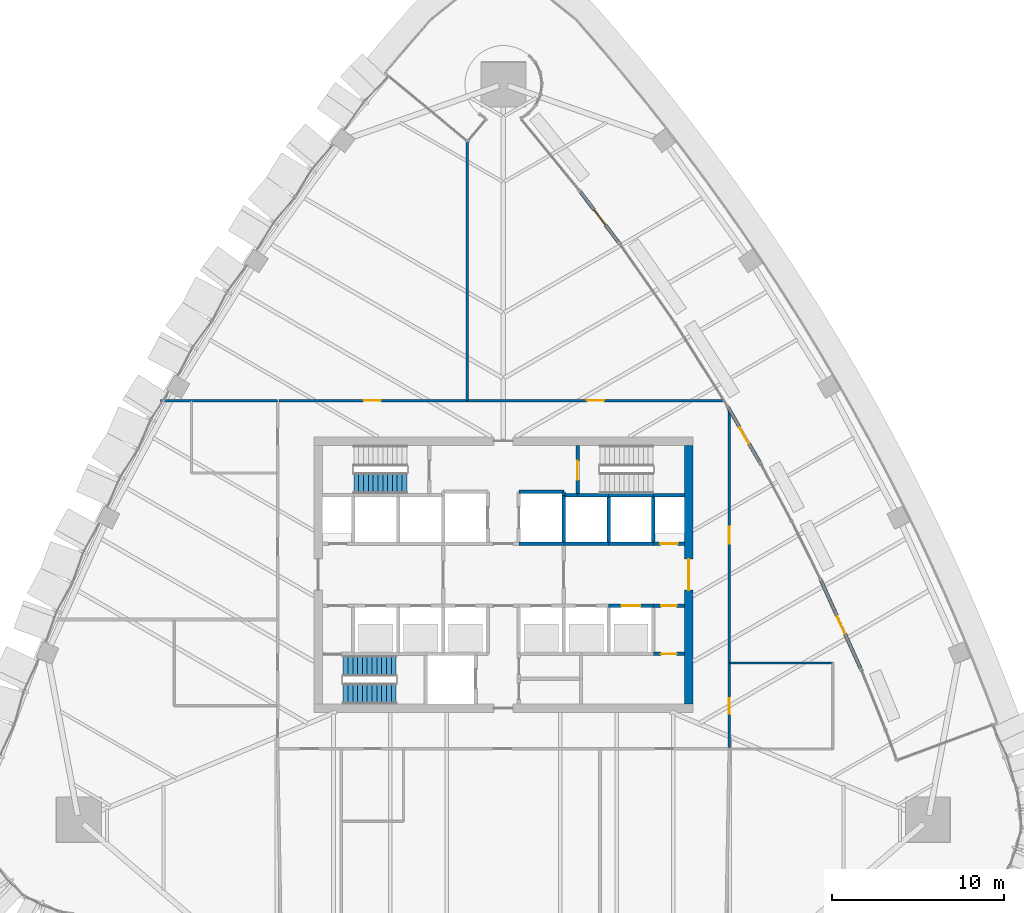
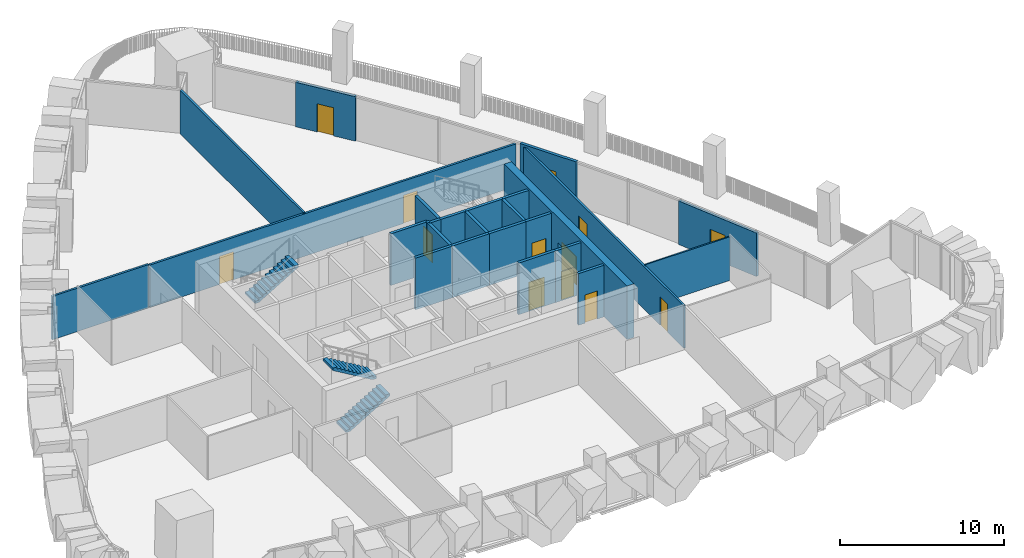
# One storey, part 16 of 22: 26 walls, 13 doors, 3 stair flights, 13 openings, 2 elements without a shape of their own.
"""IFC4 building model written with IfcOpenShell, lengths in metres."""

from ifc_helpers import new_model, si_unit, direction, frame, frame_2d, origin, place, context, subcontext, project, spatial, polyline, rectangle, outline, extrude, material, layer, layer_set, type_object, element, fill, aggregate, save


model = new_model("IFC4")

# Units and contexts
model_context = context("Model", 3, precision=1e-05, world=origin(), true_north=direction((0.0, 1.0)))
body_context = subcontext(model_context, "Body", "Model", "MODEL_VIEW")
ifc_project = project(units=[si_unit("LENGTHUNIT", "METRE"), si_unit("AREAUNIT", "SQUARE_METRE"), si_unit("VOLUMEUNIT", "CUBIC_METRE"), si_unit("PLANEANGLEUNIT", "RADIAN"), si_unit("MASSUNIT", "GRAM", prefix="KILO")], contexts=[model_context])

# Site, building, storey
site_placement = place(None, origin())
site = spatial("IfcSite", under=ifc_project, at=site_placement, CompositionType="ELEMENT")
building_placement = place(site_placement, origin())
building = spatial("IfcBuilding", under=site, at=building_placement, Name="Sierra Prisma Convention Tower", CompositionType="ELEMENT")
storey_placement = place(building_placement, frame((0.0, 0.0, 141.800048828125)))
storey = spatial("IfcBuildingStorey", under=building, at=storey_placement, Name="L30", CompositionType="ELEMENT", Elevation=141.800048828125)

# Walls
ifc_material_1 = material(Name="Gypsum board partition", Category="gypsum")
ifc_layer_1 = layer(ifc_material_1, 0.10009765625)
ifc_layer_set_1 = layer_set([ifc_layer_1], Name="Bathroom partition 100")
wall_type_1 = type_object("IfcWallType", Name="Bathroom partition 100", PredefinedType="PARTITIONING", material=ifc_layer_set_1)
wall_1_placement = place(storey_placement, frame((13.1298828125, -5.1201171875, 0.0), z_axis=(0.0, 0.0, 1.0), x_axis=(1.0, 0.0, 0.0)))
element("IfcWall", 1, at=wall_1_placement, inside=storey, type_object=wall_type_1, Name="Partition L30 bath 7", PredefinedType="PARTITIONING", context=body_context, shape_type="SweptSolid", body=[
    extrude(rectangle(XDim=5.97021484375, YDim=0.10009765625, at=frame_2d((2.985107421875, 0.0))), origin(), (0.0, 0.0, 1.0), 3.2470703125),
])
ifc_material_2 = material(Name="Concrete C30/37", Category="concrete")
ifc_layer_2 = layer(ifc_material_2, 0.199951171875)
ifc_layer_set_2 = layer_set([ifc_layer_2], Name="Core wall RC 200 C30/37")
wall_type_2 = type_object("IfcWallType", Name="Core wall RC 200 C30/37", PredefinedType="SOLIDWALL", material=ifc_layer_set_2)
wall_2_placement = place(storey_placement, frame((3.5, 1.800048828125, 0.0), z_axis=(0.0, 0.0, 1.0), x_axis=(-1.0, 0.0, 0.0)))
element("IfcWall", 2, at=wall_2_placement, inside=storey, type_object=wall_type_2, Name="Core wall L30 41", PredefinedType="SOLIDWALL", context=body_context, shape_type="SweptSolid", body=[
    extrude(rectangle(XDim=2.60009765625, YDim=0.199951171875, at=frame_2d((1.300048828125, 0.0))), origin(), (0.0, 0.0, 1.0), 3.849853515625),
])
wall_3_placement = place(storey_placement, frame((3.5, 4.60009765625, 0.0), z_axis=(0.0, 0.0, 1.0), x_axis=(0.0, 1.0, 0.0)))
element("IfcWall", 3, at=wall_3_placement, inside=storey, type_object=wall_type_2, Name="Core wall L30 42", PredefinedType="SOLIDWALL", context=body_context, shape_type="SweptSolid", body=[
    extrude(rectangle(XDim=0.199951171875, YDim=0.199951171875, at=frame_2d((0.10009765625, 0.0))), origin(), (0.0, 0.0, 1.0), 3.849853515625),
])
for number, where, z_axis, x_axis, name in (
    (4, (3.5, 4.800048828125, 0.0), (0.0, 0.0, 1.0), (-1.0, 0.0, 0.0), "Core wall L30 43"),
    (5, (6.10009765625, 1.800048828125, 0.0), (0.0, 0.0, 1.0), (-1.0, 0.0, 0.0), "Core wall L30 49"),
):
    element("IfcWall", number, at=place(storey_placement, frame(where, z_axis=z_axis, x_axis=x_axis)), inside=storey, type_object=wall_type_2, Name=name, PredefinedType="SOLIDWALL", context=body_context, shape_type="SweptSolid", body=[
        extrude(rectangle(XDim=2.60009765625, YDim=0.199951171875, at=frame_2d((1.300048828125, 0.0))), origin(), (0.0, 0.0, 1.0), 3.849853515625),
    ])
wall_4_placement = place(storey_placement, frame((3.5, 1.800048828125, 0.0), z_axis=(0.0, 0.0, 1.0), x_axis=(0.0, 1.0, 0.0)))
element("IfcWall", 6, at=wall_4_placement, inside=storey, type_object=wall_type_2, Name="Core wall L30 50", PredefinedType="SOLIDWALL", context=body_context, shape_type="SweptSolid", body=[
    extrude(rectangle(XDim=2.800048828125, YDim=0.199951171875, at=frame_2d((1.39990234375, 0.0))), origin(), (0.0, 0.0, 1.0), 3.849853515625),
])
wall_5_placement = place(storey_placement, frame((4.300048828125, 4.60009765625, 0.0), z_axis=(0.0, 0.0, 1.0), x_axis=(-1.0, 0.0, 0.0)))
element("IfcWall", 7, at=wall_5_placement, inside=storey, type_object=wall_type_2, Name="Core wall L30 51", PredefinedType="SOLIDWALL", context=body_context, shape_type="SweptSolid", body=[
    extrude(rectangle(XDim=0.800048828125, YDim=0.199951171875, at=frame_2d((0.39990234375, 0.0))), origin(), (0.0, 0.0, 1.0), 3.849853515625),
])
wall_6_placement = place(storey_placement, frame((6.10009765625, 4.60009765625, 0.0), z_axis=(0.0, 0.0, 1.0), x_axis=(-1.0, 0.0, 0.0)))
element("IfcWall", 8, at=wall_6_placement, inside=storey, type_object=wall_type_2, Name="Core wall L30 52", PredefinedType="SOLIDWALL", context=body_context, shape_type="SweptSolid", body=[
    extrude(rectangle(XDim=1.800048828125, YDim=0.199951171875, at=frame_2d((0.89990234375, 0.0))), origin(), (0.0, 0.0, 1.0), 3.849853515625),
])

# Wall, opening, door
wall_7_placement = place(storey_placement, frame((4.300048828125, 7.5, 0.0), z_axis=(0.0, 0.0, 1.0), x_axis=(0.0, -1.0, 0.0)))
wall_7 = element("IfcWall", 9, at=wall_7_placement, inside=storey, type_object=wall_type_2, Name="Core wall L30 53", PredefinedType="SOLIDWALL", context=body_context, shape_type="SweptSolid", body=[
    extrude(rectangle(XDim=2.89990234375, YDim=0.199951171875, at=frame_2d((1.449951171875, 0.0))), origin(), (0.0, 0.0, 1.0), 3.849853515625),
])
opening_1_placement = place(wall_7_placement, frame((0.89990234375, 0.0, 0.0)))
opening_1 = element("IfcOpeningElement", 10, at=opening_1_placement, cuts=wall_7, Name="Opening L30-D022", PredefinedType="OPENING", context=body_context, shape_type="SweptSolid", body=[
    extrude(rectangle(XDim=1.10009765625, YDim=2.10009765625, at=frame_2d((0.550048828125, 1.050048828125))), frame((0.0, 0.10009765625, 0.0), z_axis=(0.0, -1.0, 0.0), x_axis=(1.0, 0.0, 0.0)), (0.0, 0.0, 1.0), 0.199951171875),
])
ifc_material_3 = material(Name="Steel fire door leaf", Category="steel")
door_type_1 = type_object("IfcDoorType", Name="Door 1100x2100 FD90S", OperationType="SINGLE_SWING_LEFT", PredefinedType="DOOR", material=ifc_material_3)
door_1_placement = place(opening_1_placement, origin())
door_1 = element("IfcDoor", 11, at=door_1_placement, inside=storey, type_object=door_type_1, Name="Door L30 31", OperationType="SINGLE_SWING_LEFT", OverallHeight=2.10009765625, OverallWidth=1.10009765625, PredefinedType="DOOR", context=body_context, shape_type="SweptSolid", body=[
    extrude(rectangle(XDim=1.10009765625, YDim=2.10009765625, at=frame_2d((0.550048828125, 1.050048828125))), frame((0.0, 0.02490234375, 0.0), z_axis=(0.0, -1.0, 0.0), x_axis=(1.0, 0.0, 0.0)), (0.0, 0.0, 1.0), 0.050048828125),
])
fill(opening_1, door_1)

wall_8_placement = place(storey_placement, frame((6.10009765625, -1.800048828125, 0.0), z_axis=(0.0, 0.0, 1.0), x_axis=(1.0, 0.0, 0.0)))
wall_8 = element("IfcWall", 12, at=wall_8_placement, inside=storey, type_object=wall_type_2, Name="Core wall L30 59", PredefinedType="SOLIDWALL", context=body_context, shape_type="SweptSolid", body=[
    extrude(rectangle(XDim=2.599853515625, YDim=0.199951171875, at=frame_2d((1.2998046875, 0.0))), origin(), (0.0, 0.0, 1.0), 3.849853515625),
])
opening_2_placement = place(wall_8_placement, frame((0.75, 0.0, 0.0)))
opening_2 = element("IfcOpeningElement", 13, at=opening_2_placement, cuts=wall_8, Name="Opening L30-D009", PredefinedType="OPENING", context=body_context, shape_type="SweptSolid", body=[
    extrude(rectangle(XDim=1.10009765625, YDim=2.10009765625, at=frame_2d((0.550048828125, 1.050048828125))), frame((0.0, 0.10009765625, 0.0), z_axis=(0.0, -1.0, 0.0), x_axis=(1.0, 0.0, 0.0)), (0.0, 0.0, 1.0), 0.199951171875),
])
ifc_material_4 = material(Name="Steel fire door leaf", Category="steel")
door_type_2 = type_object("IfcDoorType", Name="Door 1100x2100 EI 90 sliding lift landing", OperationType="SLIDING_TO_LEFT", PredefinedType="DOOR", material=ifc_material_4)
door_2_placement = place(opening_2_placement, origin())
door_2 = element("IfcDoor", 14, at=door_2_placement, inside=storey, type_object=door_type_2, Name="Door L30 18", OperationType="SLIDING_TO_RIGHT", OverallHeight=2.10009765625, OverallWidth=1.10009765625, PredefinedType="DOOR", context=body_context, shape_type="SweptSolid", body=[
    extrude(rectangle(XDim=1.10009765625, YDim=2.10009765625, at=frame_2d((0.550048828125, 1.050048828125))), frame((0.0, 0.02490234375, 0.0), z_axis=(0.0, -1.0, 0.0), x_axis=(1.0, 0.0, 0.0)), (0.0, 0.0, 1.0), 0.050048828125),
])
fill(opening_2, door_2)

# Walls
wall_9_placement = place(storey_placement, frame((8.699951171875, 1.800048828125, 0.0), z_axis=(0.0, 0.0, 1.0), x_axis=(-1.0, 0.0, 0.0)))
element("IfcWall", 15, at=wall_9_placement, inside=storey, type_object=wall_type_2, Name="Core wall L30 60", PredefinedType="SOLIDWALL", context=body_context, shape_type="SweptSolid", body=[
    extrude(rectangle(XDim=2.599853515625, YDim=0.199951171875, at=frame_2d((1.2998046875, 0.0))), origin(), (0.0, 0.0, 1.0), 3.849853515625),
])
wall_10_placement = place(storey_placement, frame((6.10009765625, 1.800048828125, 0.0), z_axis=(0.0, 0.0, 1.0), x_axis=(0.0, 1.0, 0.0)))
element("IfcWall", 16, at=wall_10_placement, inside=storey, type_object=wall_type_2, Name="Core wall L30 61", PredefinedType="SOLIDWALL", context=body_context, shape_type="SweptSolid", body=[
    extrude(rectangle(XDim=2.800048828125, YDim=0.199951171875, at=frame_2d((1.39990234375, 0.0))), origin(), (0.0, 0.0, 1.0), 3.849853515625),
])
wall_11_placement = place(storey_placement, frame((8.699951171875, 4.60009765625, 0.0), z_axis=(0.0, 0.0, 1.0), x_axis=(-1.0, 0.0, 0.0)))
element("IfcWall", 17, at=wall_11_placement, inside=storey, type_object=wall_type_2, Name="Core wall L30 62", PredefinedType="SOLIDWALL", context=body_context, shape_type="SweptSolid", body=[
    extrude(rectangle(XDim=2.599853515625, YDim=0.199951171875, at=frame_2d((1.2998046875, 0.0))), origin(), (0.0, 0.0, 1.0), 3.849853515625),
])

# Wall, opening, door
wall_12_placement = place(storey_placement, frame((10.5, -4.60009765625, 0.0), z_axis=(0.0, 0.0, 1.0), x_axis=(-1.0, 0.0, 0.0)))
wall_12 = element("IfcWall", 18, at=wall_12_placement, inside=storey, type_object=wall_type_2, Name="Core wall L30 63", PredefinedType="SOLIDWALL", context=body_context, shape_type="SweptSolid", body=[
    extrude(rectangle(XDim=1.800048828125, YDim=0.199951171875, at=frame_2d((0.89990234375, 0.0))), origin(), (0.0, 0.0, 1.0), 3.849853515625),
])
opening_3_placement = place(wall_12_placement, frame((0.4599609375, 0.0, 0.0)))
opening_3 = element("IfcOpeningElement", 19, at=opening_3_placement, cuts=wall_12, Name="Opening L30-D023", PredefinedType="OPENING", context=body_context, shape_type="SweptSolid", body=[
    extrude(rectangle(XDim=0.89990234375, YDim=2.10009765625, at=frame_2d((0.449951171875, 1.050048828125))), frame((0.0, 0.10009765625, 0.0), z_axis=(0.0, -1.0, 0.0), x_axis=(1.0, 0.0, 0.0)), (0.0, 0.0, 1.0), 0.199951171875),
])
ifc_material_5 = material(Name="Steel fire door leaf", Category="steel")
door_type_3 = type_object("IfcDoorType", Name="Door 900x2100 FD30S", OperationType="SINGLE_SWING_LEFT", PredefinedType="DOOR", material=ifc_material_5)
door_3_placement = place(opening_3_placement, origin())
door_3 = element("IfcDoor", 20, at=door_3_placement, inside=storey, type_object=door_type_3, Name="Door L30 32", OperationType="SINGLE_SWING_RIGHT", OverallHeight=2.10009765625, OverallWidth=0.89990234375, PredefinedType="DOOR", context=body_context, shape_type="SweptSolid", body=[
    extrude(rectangle(XDim=0.89990234375, YDim=2.10009765625, at=frame_2d((0.449951171875, 1.050048828125))), frame((0.0, 0.02490234375, 0.0), z_axis=(0.0, -1.0, 0.0), x_axis=(1.0, 0.0, 0.0)), (0.0, 0.0, 1.0), 0.050048828125),
])
fill(opening_3, door_3)

wall_13_placement = place(storey_placement, frame((8.699951171875, -1.800048828125, 0.0), z_axis=(0.0, 0.0, 1.0), x_axis=(1.0, 0.0, 0.0)))
wall_13 = element("IfcWall", 21, at=wall_13_placement, inside=storey, type_object=wall_type_2, Name="Core wall L30 65", PredefinedType="SOLIDWALL", context=body_context, shape_type="SweptSolid", body=[
    extrude(rectangle(XDim=1.800048828125, YDim=0.199951171875, at=frame_2d((0.89990234375, 0.0))), origin(), (0.0, 0.0, 1.0), 3.849853515625),
])
opening_4_placement = place(wall_13_placement, frame((0.449951171875, 0.0, 0.0)))
opening_4 = element("IfcOpeningElement", 22, at=opening_4_placement, cuts=wall_13, Name="Opening L30-D024", PredefinedType="OPENING", context=body_context, shape_type="SweptSolid", body=[
    extrude(rectangle(XDim=0.89990234375, YDim=2.10009765625, at=frame_2d((0.449951171875, 1.050048828125))), frame((0.0, 0.10009765625, 0.0), z_axis=(0.0, -1.0, 0.0), x_axis=(1.0, 0.0, 0.0)), (0.0, 0.0, 1.0), 0.199951171875),
])
door_4_placement = place(opening_4_placement, origin())
door_4 = element("IfcDoor", 23, at=door_4_placement, inside=storey, type_object=door_type_3, Name="Door L30 33", OperationType="SINGLE_SWING_RIGHT", OverallHeight=2.10009765625, OverallWidth=0.89990234375, PredefinedType="DOOR", context=body_context, shape_type="SweptSolid", body=[
    extrude(rectangle(XDim=0.89990234375, YDim=2.10009765625, at=frame_2d((0.449951171875, 1.050048828125))), frame((0.0, 0.02490234375, 0.0), z_axis=(0.0, -1.0, 0.0), x_axis=(1.0, 0.0, 0.0)), (0.0, 0.0, 1.0), 0.050048828125),
])
fill(opening_4, door_4)

wall_14_placement = place(storey_placement, frame((10.5, 1.800048828125, 0.0), z_axis=(0.0, 0.0, 1.0), x_axis=(-1.0, 0.0, 0.0)))
wall_14 = element("IfcWall", 24, at=wall_14_placement, inside=storey, type_object=wall_type_2, Name="Core wall L30 66", PredefinedType="SOLIDWALL", context=body_context, shape_type="SweptSolid", body=[
    extrude(rectangle(XDim=1.800048828125, YDim=0.199951171875, at=frame_2d((0.89990234375, 0.0))), origin(), (0.0, 0.0, 1.0), 3.849853515625),
])
opening_5_placement = place(wall_14_placement, frame((0.39990234375, 0.0, 0.0)))
opening_5 = element("IfcOpeningElement", 25, at=opening_5_placement, cuts=wall_14, Name="Opening L30-D019", PredefinedType="OPENING", context=body_context, shape_type="SweptSolid", body=[
    extrude(rectangle(XDim=1.0, YDim=2.10009765625, at=frame_2d((0.5, 1.050048828125))), frame((0.0, 0.10009765625, 0.0), z_axis=(0.0, -1.0, 0.0), x_axis=(1.0, 0.0, 0.0)), (0.0, 0.0, 1.0), 0.199951171875),
])
ifc_material_6 = material(Name="Steel fire door leaf", Category="steel")
door_type_4 = type_object("IfcDoorType", Name="Door 1000x2100 FD60S", OperationType="SINGLE_SWING_LEFT", PredefinedType="DOOR", material=ifc_material_6)
door_5_placement = place(opening_5_placement, origin())
door_5 = element("IfcDoor", 26, at=door_5_placement, inside=storey, type_object=door_type_4, Name="Door L30 28", OperationType="SINGLE_SWING_RIGHT", OverallHeight=2.10009765625, OverallWidth=1.0, PredefinedType="DOOR", context=body_context, shape_type="SweptSolid", body=[
    extrude(rectangle(XDim=1.0, YDim=2.10009765625, at=frame_2d((0.5, 1.050048828125))), frame((0.0, 0.02490234375, 0.0), z_axis=(0.0, -1.0, 0.0), x_axis=(1.0, 0.0, 0.0)), (0.0, 0.0, 1.0), 0.050048828125),
])
fill(opening_5, door_5)

# Walls
wall_15_placement = place(storey_placement, frame((8.699951171875, 4.60009765625, 0.0), z_axis=(0.0, 0.0, 1.0), x_axis=(0.0, -1.0, 0.0)))
element("IfcWall", 27, at=wall_15_placement, inside=storey, type_object=wall_type_2, Name="Core wall L30 67", PredefinedType="SOLIDWALL", context=body_context, shape_type="SweptSolid", body=[
    extrude(rectangle(XDim=2.800048828125, YDim=0.199951171875, at=frame_2d((1.39990234375, 0.0))), origin(), (0.0, 0.0, 1.0), 3.849853515625),
])
wall_16_placement = place(storey_placement, frame((10.5, 4.60009765625, 0.0), z_axis=(0.0, 0.0, 1.0), x_axis=(-1.0, 0.0, 0.0)))
element("IfcWall", 28, at=wall_16_placement, inside=storey, type_object=wall_type_2, Name="Core wall L30 68", PredefinedType="SOLIDWALL", context=body_context, shape_type="SweptSolid", body=[
    extrude(rectangle(XDim=1.800048828125, YDim=0.199951171875, at=frame_2d((0.89990234375, 0.0))), origin(), (0.0, 0.0, 1.0), 3.849853515625),
])

# Wall, opening, door
ifc_material_7 = material(Name="Concrete C60/75", Category="concrete")
ifc_layer_3 = layer(ifc_material_7, 0.5)
ifc_layer_set_3 = layer_set([ifc_layer_3], Name="Core wall RC 500 C60/75")
wall_type_3 = type_object("IfcWallType", Name="Core wall RC 500 C60/75", PredefinedType="SHEAR", material=ifc_layer_set_3)
wall_17_placement = place(storey_placement, frame((10.75, -7.5, 0.0), z_axis=(0.0, 0.0, 1.0), x_axis=(0.0, 1.0, 0.0)))
wall_17 = element("IfcWall", 29, at=wall_17_placement, inside=storey, type_object=wall_type_3, Name="Core wall E L30", PredefinedType="SHEAR", context=body_context, shape_type="SweptSolid", body=[
    extrude(rectangle(XDim=15.0, YDim=0.5, at=frame_2d((7.5, 0.0))), origin(), (0.0, 0.0, 1.0), 4.0),
])
opening_6_placement = place(wall_17_placement, frame((6.60009765625, 0.0, 0.0)))
opening_6 = element("IfcOpeningElement", 30, at=opening_6_placement, cuts=wall_17, Name="Opening L30-D039", PredefinedType="OPENING", context=body_context, shape_type="SweptSolid", body=[
    extrude(rectangle(XDim=1.800048828125, YDim=2.10009765625, at=frame_2d((0.89990234375, 1.050048828125))), frame((0.0, 0.25, 0.0), z_axis=(0.0, -1.0, 0.0), x_axis=(1.0, 0.0, 0.0)), (0.0, 0.0, 1.0), 0.5),
])
ifc_material_8 = material(Name="Steel fire door leaf", Category="steel")
door_type_5 = type_object("IfcDoorType", Name="Door 1800x2100 FD60S", OperationType="DOUBLE_DOOR_SINGLE_SWING", PredefinedType="DOOR", material=ifc_material_8)
door_6_placement = place(opening_6_placement, origin())
door_6 = element("IfcDoor", 31, at=door_6_placement, inside=storey, type_object=door_type_5, Name="Door L30 37", OperationType="DOUBLE_DOOR_SINGLE_SWING", OverallHeight=2.10009765625, OverallWidth=1.800048828125, PredefinedType="DOOR", context=body_context, shape_type="SweptSolid", body=[
    extrude(rectangle(XDim=1.800048828125, YDim=2.10009765625, at=frame_2d((0.89990234375, 1.050048828125))), frame((0.0, 0.02490234375, 0.0), z_axis=(0.0, -1.0, 0.0), x_axis=(1.0, 0.0, 0.0)), (0.0, 0.0, 1.0), 0.050048828125),
])
fill(opening_6, door_6)

# Wall, openings, doors
ifc_material_9 = material(Name="Gypsum board partition", Category="gypsum")
ifc_layer_4 = layer(ifc_material_9, 0.14990234375)
ifc_layer_set_4 = layer_set([ifc_layer_4], Name="Corridor wall 150 gypsum EI 60")
wall_type_4 = type_object("IfcWallType", Name="Corridor wall 150 gypsum EI 60", PredefinedType="PARTITIONING", material=ifc_layer_set_4)
wall_18_placement = place(storey_placement, frame((12.791259765625, 10.10009765625, 0.0), z_axis=(0.0, 0.0, 1.0), x_axis=(-1.0, 0.0, 0.0)))
wall_18 = element("IfcWall", 32, at=wall_18_placement, inside=storey, type_object=wall_type_4, Name="Partition L30 corr 3", PredefinedType="PARTITIONING", context=body_context, shape_type="SweptSolid", body=[
    extrude(rectangle(XDim=25.811279296875, YDim=0.14990234375, at=frame_2d((12.90576171875, 0.0))), origin(), (0.0, 0.0, 1.0), 3.166015625),
])
opening_7_placement = place(wall_18_placement, frame((6.945556640625, 0.0, 0.0)))
opening_7 = element("IfcOpeningElement", 33, at=opening_7_placement, cuts=wall_18, Name="Opening L30-D027", PredefinedType="OPENING", context=body_context, shape_type="SweptSolid", body=[
    extrude(rectangle(XDim=1.0, YDim=2.10009765625, at=frame_2d((0.5, 1.050048828125))), frame((0.0, 0.074951171875, 0.0), z_axis=(0.0, -1.0, 0.0), x_axis=(1.0, 0.0, 0.0)), (0.0, 0.0, 1.0), 0.14990234375),
])
opening_8_placement = place(wall_18_placement, frame((19.901123046875, 0.0, 0.0)))
opening_8 = element("IfcOpeningElement", 34, at=opening_8_placement, cuts=wall_18, Name="Opening L30-D028", PredefinedType="OPENING", context=body_context, shape_type="SweptSolid", body=[
    extrude(rectangle(XDim=1.0, YDim=2.10009765625, at=frame_2d((0.5, 1.050048828125))), frame((0.0, 0.074951171875, 0.0), z_axis=(0.0, -1.0, 0.0), x_axis=(1.0, 0.0, 0.0)), (0.0, 0.0, 1.0), 0.14990234375),
])
ifc_material_10 = material(Name="Steel fire door leaf", Category="steel")
door_type_6 = type_object("IfcDoorType", Name="Door 1000x2100 FD30S", OperationType="SINGLE_SWING_LEFT", PredefinedType="DOOR", material=ifc_material_10)
door_7_placement = place(opening_7_placement, origin())
door_7 = element("IfcDoor", 35, at=door_7_placement, inside=storey, type_object=door_type_6, Name="Door L30 1", OperationType="SINGLE_SWING_LEFT", OverallHeight=2.10009765625, OverallWidth=1.0, PredefinedType="DOOR", context=body_context, shape_type="SweptSolid", body=[
    extrude(rectangle(XDim=1.0, YDim=2.10009765625, at=frame_2d((0.5, 1.050048828125))), frame((0.0, 0.02490234375, 0.0), z_axis=(0.0, -1.0, 0.0), x_axis=(1.0, 0.0, 0.0)), (0.0, 0.0, 1.0), 0.050048828125),
])
fill(opening_7, door_7)
door_8_placement = place(opening_8_placement, origin())
door_8 = element("IfcDoor", 36, at=door_8_placement, inside=storey, type_object=door_type_6, Name="Door L30 2", OperationType="SINGLE_SWING_LEFT", OverallHeight=2.10009765625, OverallWidth=1.0, PredefinedType="DOOR", context=body_context, shape_type="SweptSolid", body=[
    extrude(rectangle(XDim=1.0, YDim=2.10009765625, at=frame_2d((0.5, 1.050048828125))), frame((0.0, 0.02490234375, 0.0), z_axis=(0.0, -1.0, 0.0), x_axis=(1.0, 0.0, 0.0)), (0.0, 0.0, 1.0), 0.050048828125),
])
fill(opening_8, door_8)

wall_19_placement = place(storey_placement, frame((13.10009765625, -10.02001953125, 0.0), z_axis=(0.0, 0.0, 1.0), x_axis=(0.0, 1.0, 0.0)))
wall_19 = element("IfcWall", 37, at=wall_19_placement, inside=storey, type_object=wall_type_4, Name="Partition L30 corr 4", PredefinedType="PARTITIONING", context=body_context, shape_type="SweptSolid", body=[
    extrude(rectangle(XDim=19.6083984375, YDim=0.14990234375, at=frame_2d((9.80419921875, 0.0))), origin(), (0.0, 0.0, 1.0), 3.166015625),
])
opening_9_placement = place(wall_19_placement, frame((1.949951171875, 0.0, 0.0)))
opening_9 = element("IfcOpeningElement", 38, at=opening_9_placement, cuts=wall_19, Name="Opening L30-D037", PredefinedType="OPENING", context=body_context, shape_type="SweptSolid", body=[
    extrude(rectangle(XDim=0.89990234375, YDim=2.10009765625, at=frame_2d((0.449951171875, 1.050048828125))), frame((0.0, 0.074951171875, 0.0), z_axis=(0.0, -1.0, 0.0), x_axis=(1.0, 0.0, 0.0)), (0.0, 0.0, 1.0), 0.14990234375),
])
opening_10_placement = place(wall_19_placement, frame((11.80419921875, 0.0, 0.0)))
opening_10 = element("IfcOpeningElement", 39, at=opening_10_placement, cuts=wall_19, Name="Opening L30-D038", PredefinedType="OPENING", context=body_context, shape_type="SweptSolid", body=[
    extrude(rectangle(XDim=1.0, YDim=2.10009765625, at=frame_2d((0.5, 1.050048828125))), frame((0.0, 0.074951171875, 0.0), z_axis=(0.0, -1.0, 0.0), x_axis=(1.0, 0.0, 0.0)), (0.0, 0.0, 1.0), 0.14990234375),
])
door_9_placement = place(opening_10_placement, origin())
door_9 = element("IfcDoor", 40, at=door_9_placement, inside=storey, type_object=door_type_6, Name="Door L30 12", OperationType="SINGLE_SWING_RIGHT", OverallHeight=2.10009765625, OverallWidth=1.0, PredefinedType="DOOR", context=body_context, shape_type="SweptSolid", body=[
    extrude(rectangle(XDim=1.0, YDim=2.10009765625, at=frame_2d((0.5, 1.050048828125))), frame((0.0, 0.02490234375, 0.0), z_axis=(0.0, -1.0, 0.0), x_axis=(1.0, 0.0, 0.0)), (0.0, 0.0, 1.0), 0.050048828125),
])
fill(opening_10, door_9)
door_10_placement = place(opening_9_placement, origin())
door_10 = element("IfcDoor", 41, at=door_10_placement, inside=storey, type_object=door_type_3, Name="Door L30 11", OperationType="SINGLE_SWING_LEFT", OverallHeight=2.10009765625, OverallWidth=0.89990234375, PredefinedType="DOOR", context=body_context, shape_type="SweptSolid", body=[
    extrude(rectangle(XDim=0.89990234375, YDim=2.10009765625, at=frame_2d((0.449951171875, 1.050048828125))), frame((0.0, 0.02490234375, 0.0), z_axis=(0.0, -1.0, 0.0), x_axis=(1.0, 0.0, 0.0)), (0.0, 0.0, 1.0), 0.050048828125),
])
fill(opening_9, door_10)

# Walls
ifc_material_11 = material(Name="Gypsum board partition", Category="gypsum")
ifc_layer_5 = layer(ifc_material_11, 0.14990234375)
ifc_layer_set_5 = layer_set([ifc_layer_5], Name="Party wall 150 gypsum")
wall_type_5 = type_object("IfcWallType", Name="Party wall 150 gypsum", PredefinedType="PARTITIONING", material=ifc_layer_set_5)
wall_20_placement = place(storey_placement, frame((-13.10009765625, 10.10009765625, 0.0), z_axis=(0.0, 0.0, 1.0), x_axis=(-1.0, 0.0, 0.0)))
element("IfcWall", 42, at=wall_20_placement, inside=storey, type_object=wall_type_5, Name="Partition L30 party 2", PredefinedType="PARTITIONING", context=body_context, shape_type="SweptSolid", body=[
    extrude(rectangle(XDim=6.7880859375, YDim=0.14990234375, at=frame_2d((3.39404296875, 0.0))), origin(), (0.0, 0.0, 1.0), 3.23388671875),
])
wall_21_placement = place(storey_placement, frame((-2.10009765625, 10.10009765625, 0.0), z_axis=(0.0, 0.0, 1.0), x_axis=(0.0, 1.0, 0.0)))
element("IfcWall", 43, at=wall_21_placement, inside=storey, type_object=wall_type_5, Name="Partition L30 party 5", PredefinedType="PARTITIONING", context=body_context, shape_type="SweptSolid", body=[
    extrude(rectangle(XDim=15.04248046875, YDim=0.14990234375, at=frame_2d((7.521240234375, 0.0))), origin(), (0.0, 0.0, 1.0), 3.2470703125),
])

# Wall, opening, door
ifc_material_12 = material(Name="Precast concrete C40/50", Category="concrete")
ifc_layer_6 = layer(ifc_material_12, 0.199951171875)
ifc_layer_set_6 = layer_set([ifc_layer_6], Name="Terrace door pier")
wall_type_6 = type_object("IfcWallType", Name="Terrace door pier", PredefinedType="SOLIDWALL", material=ifc_layer_set_6)
wall_22_placement = place(storey_placement, frame((20.7919921875, -5.605224609375, 0.0), z_axis=(0.0, 0.0, 1.0), x_axis=(-0.410483812668, 0.911867884914, 0.0)))
wall_22 = element("IfcWall", 44, at=wall_22_placement, inside=storey, type_object=wall_type_6, Name="Terrace door bay L30.3", PredefinedType="SOLIDWALL", context=body_context, shape_type="SweptSolid", body=[
    extrude(rectangle(XDim=5.879150390625, YDim=0.199951171875, at=frame_2d((2.939453125, 0.0))), origin(), (0.0, 0.0, 1.0), 3.2470703125),
])
opening_11_placement = place(wall_22_placement, frame((2.3896484375, 0.0, 0.0)))
opening_11 = element("IfcOpeningElement", 45, at=opening_11_placement, cuts=wall_22, Name="Opening L30-D001", PredefinedType="OPENING", context=body_context, shape_type="SweptSolid", body=[
    extrude(rectangle(XDim=1.10009765625, YDim=2.10009765625, at=frame_2d((0.550048828125, 1.050048828125))), frame((0.0, 0.10009765625, 0.0), z_axis=(0.0, -1.0, 0.0), x_axis=(1.0, 0.0, 0.0)), (0.0, 0.0, 1.0), 0.199951171875),
])
ifc_material_13 = material(Name="Bronze anodised aluminium and glass", Category="aluminium")
door_type_7 = type_object("IfcDoorType", Name="Terrace door 1100 x 2100", OperationType="SINGLE_SWING_LEFT", PredefinedType="DOOR", material=ifc_material_13)
door_11_placement = place(opening_11_placement, origin())
door_11 = element("IfcDoor", 46, at=door_11_placement, inside=storey, type_object=door_type_7, Name="Terrace door L30.3", OperationType="SINGLE_SWING_RIGHT", OverallHeight=2.10009765625, OverallWidth=1.10009765625, PredefinedType="DOOR", context=body_context, shape_type="SweptSolid", body=[
    extrude(rectangle(XDim=1.10009765625, YDim=2.10009765625, at=frame_2d((0.550048828125, 1.050048828125))), frame((0.0, 0.02490234375, 0.0), z_axis=(0.0, -1.0, 0.0), x_axis=(1.0, 0.0, 0.0)), (0.0, 0.0, 1.0), 0.050048828125),
])
fill(opening_11, door_11)

wall_23_placement = place(storey_placement, frame((14.970703125, 6.345703125, 0.0), z_axis=(0.0, 0.0, 1.0), x_axis=(-0.499979122652, 0.866037456991, 0.0)))
wall_23 = element("IfcWall", 47, at=wall_23_placement, inside=storey, type_object=wall_type_6, Name="Terrace door bay L30.6", PredefinedType="SOLIDWALL", context=body_context, shape_type="SweptSolid", body=[
    extrude(rectangle(XDim=3.979736328125, YDim=0.199951171875, at=frame_2d((1.98974609375, 0.0))), origin(), (0.0, 0.0, 1.0), 3.33984375),
])
opening_12_placement = place(wall_23_placement, frame((1.43994140625, 0.0, 0.0)))
opening_12 = element("IfcOpeningElement", 48, at=opening_12_placement, cuts=wall_23, Name="Opening L30-D002", PredefinedType="OPENING", context=body_context, shape_type="SweptSolid", body=[
    extrude(rectangle(XDim=1.10009765625, YDim=2.10009765625, at=frame_2d((0.550048828125, 1.050048828125))), frame((0.0, 0.10009765625, 0.0), z_axis=(0.0, -1.0, 0.0), x_axis=(1.0, 0.0, 0.0)), (0.0, 0.0, 1.0), 0.199951171875),
])
door_12_placement = place(opening_12_placement, origin())
door_12 = element("IfcDoor", 49, at=door_12_placement, inside=storey, type_object=door_type_7, Name="Terrace door L30.6", OperationType="SINGLE_SWING_LEFT", OverallHeight=2.10009765625, OverallWidth=1.10009765625, PredefinedType="DOOR", context=body_context, shape_type="SweptSolid", body=[
    extrude(rectangle(XDim=1.10009765625, YDim=2.10009765625, at=frame_2d((0.550048828125, 1.050048828125))), frame((0.0, 0.02490234375, 0.0), z_axis=(0.0, -1.0, 0.0), x_axis=(1.0, 0.0, 0.0)), (0.0, 0.0, 1.0), 0.050048828125),
])
fill(opening_12, door_12)

wall_24_placement = place(storey_placement, frame((6.78271484375, 19.139892578125, 0.0), z_axis=(0.0, 0.0, 1.0), x_axis=(-0.603116843189, 0.797652852726, 0.0)))
wall_24 = element("IfcWall", 50, at=wall_24_placement, inside=storey, type_object=wall_type_6, Name="Terrace door bay L30.9", PredefinedType="SOLIDWALL", context=body_context, shape_type="SweptSolid", body=[
    extrude(rectangle(XDim=3.9794921875, YDim=0.199951171875, at=frame_2d((1.98974609375, 0.0))), origin(), (0.0, 0.0, 1.0), 3.31689453125),
])
opening_13_placement = place(wall_24_placement, frame((1.43994140625, 0.0, 0.0)))
opening_13 = element("IfcOpeningElement", 51, at=opening_13_placement, cuts=wall_24, Name="Opening L30-D003", PredefinedType="OPENING", context=body_context, shape_type="SweptSolid", body=[
    extrude(rectangle(XDim=1.10009765625, YDim=2.10009765625, at=frame_2d((0.550048828125, 1.050048828125))), frame((0.0, 0.10009765625, 0.0), z_axis=(0.0, -1.0, 0.0), x_axis=(1.0, 0.0, 0.0)), (0.0, 0.0, 1.0), 0.199951171875),
])
door_13_placement = place(opening_13_placement, origin())
door_13 = element("IfcDoor", 52, at=door_13_placement, inside=storey, type_object=door_type_7, Name="Terrace door L30.9", OperationType="SINGLE_SWING_RIGHT", OverallHeight=2.10009765625, OverallWidth=1.10009765625, PredefinedType="DOOR", context=body_context, shape_type="SweptSolid", body=[
    extrude(rectangle(XDim=1.10009765625, YDim=2.10009765625, at=frame_2d((0.550048828125, 1.050048828125))), frame((0.0, 0.02490234375, 0.0), z_axis=(0.0, -1.0, 0.0), x_axis=(1.0, 0.0, 0.0)), (0.0, 0.0, 1.0), 0.050048828125),
])
fill(opening_13, door_13)

# Stair, stair flights
ifc_material_14 = material(Name="Concrete C30/37", Category="concrete")
stair_type = type_object("IfcStairType", Name="Stair dog-leg 1200 RC", PredefinedType="HALF_TURN_STAIR", material=ifc_material_14)
stair_1_placement = place(storey_placement, origin())
stair_1 = element("IfcStair", 53, at=stair_1_placement, inside=storey, type_object=stair_type, Name="L30 S1", PredefinedType="HALF_TURN_STAIR")
ifc_material_15 = material(Name="Concrete C30/37", Category="concrete")
stair_flight_type = type_object("IfcStairFlightType", Name="Stair flight RC 1200", PredefinedType="STRAIGHT", material=ifc_material_15)
stair_flight_1_placement = place(storey_placement, frame((-9.300048828125, -6.89990234375, 0.0), z_axis=(0.0, 0.0, 1.0), x_axis=(1.0, 0.0, 0.0)))
stair_flight_1 = element("IfcStairFlight", 54, at=stair_flight_1_placement, type_object=stair_flight_type, Name="S1 flight 1", NumberOfRisers=12, NumberOfTreads=11, PredefinedType="STRAIGHT", RiserHeight=0.166666667, TreadLength=0.28, context=body_context, shape_type="SweptSolid", body=[
    extrude(outline(polyline([(0.0, 0.0), (0.0, 0.166748046875), (0.280029296875, 0.166748046875), (0.280029296875, 0.333251953125), (0.56005859375, 0.333251953125), (0.56005859375, 0.5), (0.840087890625, 0.5), (0.840087890625, 0.666748046875), (1.1201171875, 0.666748046875), (1.1201171875, 0.833251953125), (1.39990234375, 0.833251953125), (1.39990234375, 1.0), (1.679931640625, 1.0), (1.679931640625, 1.166748046875), (1.9599609375, 1.166748046875), (1.9599609375, 1.333251953125), (2.239990234375, 1.333251953125), (2.239990234375, 1.5), (2.52001953125, 1.5), (2.52001953125, 1.666748046875), (2.800048828125, 1.666748046875), (2.800048828125, 1.833251953125), (3.080078125, 1.833251953125), (3.080078125, 2.0), (3.080078125, 1.658935546875), (0.29296875, 0.0), (0.0, 0.0)])), frame((0.0, 0.60009765625, 0.0), z_axis=(0.0, -1.0, 0.0), x_axis=(1.0, 0.0, 0.0)), (0.0, 0.0, 1.0), 1.199951171875),
])
stair_flight_2_placement = place(storey_placement, frame((-6.219970703125, -5.300048828125, 2.0), z_axis=(0.0, 0.0, 1.0), x_axis=(-1.0, 0.0, 0.0)))
stair_flight_2 = element("IfcStairFlight", 55, at=stair_flight_2_placement, type_object=stair_flight_type, Name="S1 flight 2", NumberOfRisers=12, NumberOfTreads=11, PredefinedType="STRAIGHT", RiserHeight=0.166666667, TreadLength=0.28, context=body_context, shape_type="SweptSolid", body=[
    extrude(outline(polyline([(0.0, 0.0), (0.0, 0.166748046875), (0.280029296875, 0.166748046875), (0.280029296875, 0.333251953125), (0.56005859375, 0.333251953125), (0.56005859375, 0.5), (0.840087890625, 0.5), (0.840087890625, 0.666748046875), (1.1201171875, 0.666748046875), (1.1201171875, 0.833251953125), (1.39990234375, 0.833251953125), (1.39990234375, 1.0), (1.679931640625, 1.0), (1.679931640625, 1.166748046875), (1.9599609375, 1.166748046875), (1.9599609375, 1.333251953125), (2.239990234375, 1.333251953125), (2.239990234375, 1.5), (2.52001953125, 1.5), (2.52001953125, 1.666748046875), (2.800048828125, 1.666748046875), (2.800048828125, 1.833251953125), (3.080078125, 1.833251953125), (3.080078125, 2.0), (3.080078125, 1.658935546875), (0.29296875, 0.0), (0.0, 0.0)])), frame((0.0, 0.60009765625, 0.0), z_axis=(0.0, -1.0, 0.0), x_axis=(1.0, 0.0, 0.0)), (0.0, 0.0, 1.0), 1.199951171875),
])
aggregate(stair_1, [stair_flight_1, stair_flight_2])

# Stair, stair flight
stair_2_placement = place(storey_placement, origin())
stair_2 = element("IfcStair", 56, at=stair_2_placement, inside=storey, type_object=stair_type, Name="L30 S3", PredefinedType="HALF_TURN_STAIR")
stair_flight_3_placement = place(storey_placement, frame((-8.679931640625, 5.300048828125, 2.0), z_axis=(0.0, 0.0, 1.0), x_axis=(1.0, 0.0, 0.0)))
stair_flight_3 = element("IfcStairFlight", 57, at=stair_flight_3_placement, type_object=stair_flight_type, Name="S3 flight 2", NumberOfRisers=12, NumberOfTreads=11, PredefinedType="STRAIGHT", RiserHeight=0.166666667, TreadLength=0.28, context=body_context, shape_type="SweptSolid", body=[
    extrude(outline(polyline([(0.0, 0.0), (0.0, 0.166748046875), (0.280029296875, 0.166748046875), (0.280029296875, 0.333251953125), (0.56005859375, 0.333251953125), (0.56005859375, 0.5), (0.840087890625, 0.5), (0.840087890625, 0.666748046875), (1.1201171875, 0.666748046875), (1.1201171875, 0.833251953125), (1.39990234375, 0.833251953125), (1.39990234375, 1.0), (1.679931640625, 1.0), (1.679931640625, 1.166748046875), (1.9599609375, 1.166748046875), (1.9599609375, 1.333251953125), (2.239990234375, 1.333251953125), (2.239990234375, 1.5), (2.52001953125, 1.5), (2.52001953125, 1.666748046875), (2.800048828125, 1.666748046875), (2.800048828125, 1.833251953125), (3.080078125, 1.833251953125), (3.080078125, 2.0), (3.080078125, 1.658935546875), (0.29296875, 0.0), (0.0, 0.0)])), frame((0.0, 0.60009765625, 0.0), z_axis=(0.0, -1.0, 0.0), x_axis=(1.0, 0.0, 0.0)), (0.0, 0.0, 1.0), 1.199951171875),
])
aggregate(stair_2, [stair_flight_3])

save(model, "model.ifc")
